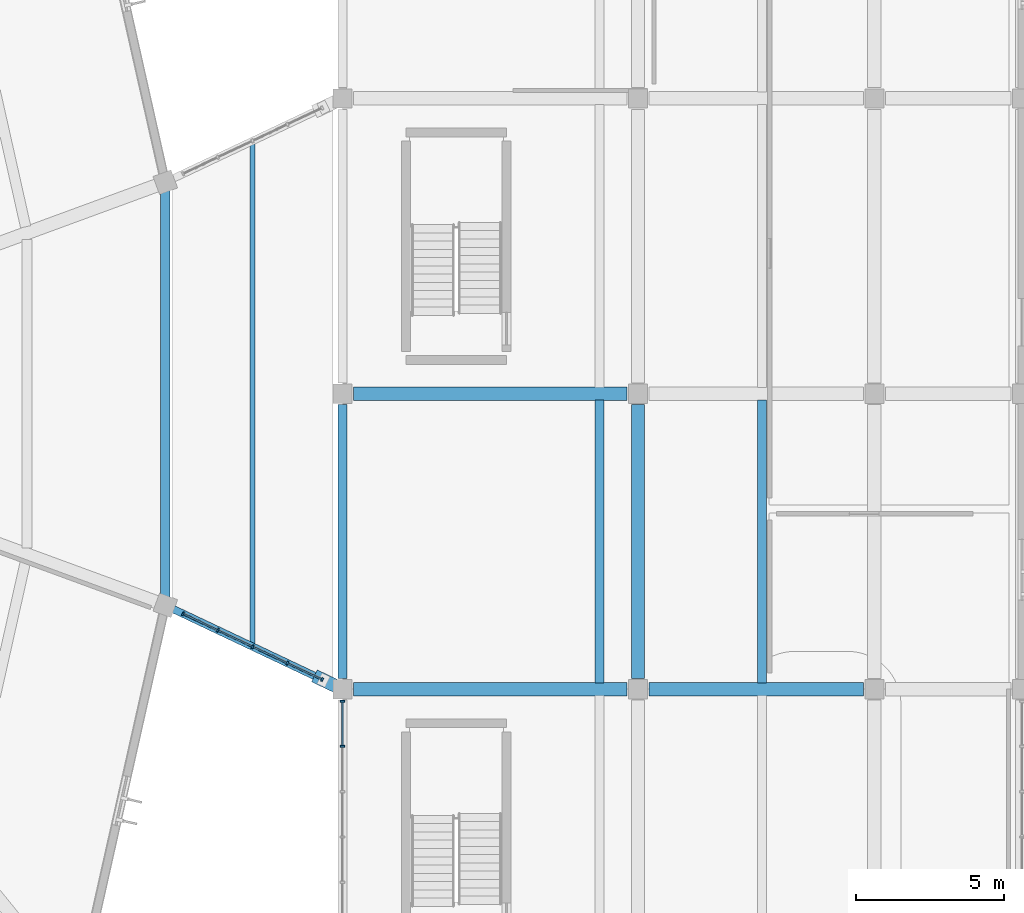
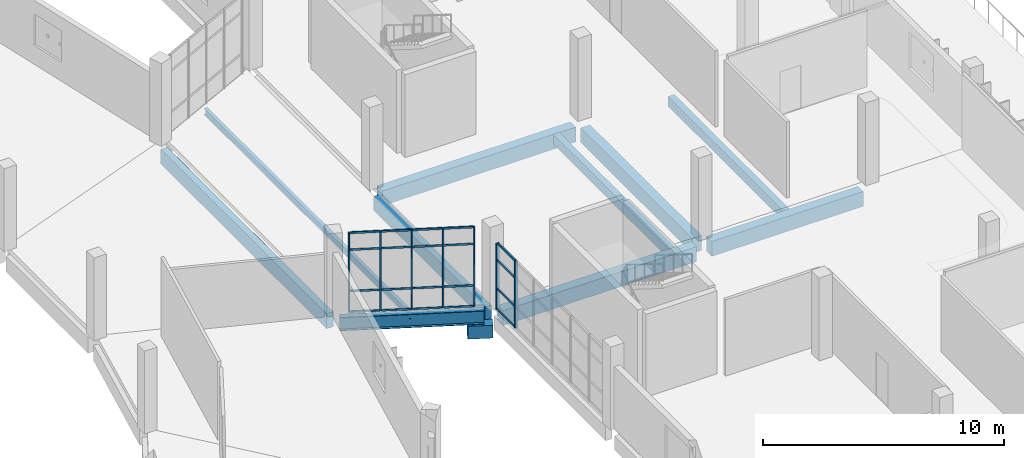
# One storey, part 58 of 142: 27 members, 11 beams, 2 elements without a shape of their own.
"""IFC4 building model written with IfcOpenShell, lengths in metres."""

from ifc_helpers import new_model, si_unit, direction, frame, origin, origin_2d, place, context, subcontext, project, spatial, rectangle, i_section, extrude, material, layer, layer_set, material_profile, profile_set, type_object, element, aggregate, save


model = new_model("IFC4")

# Units and contexts
model_context = context("Model", 3, precision=1e-05, world=origin(), true_north=direction((0.0, 1.0)))
body_context = subcontext(model_context, "Body", "Model", "MODEL_VIEW")
ifc_project = project(units=[si_unit("LENGTHUNIT", "METRE"), si_unit("AREAUNIT", "SQUARE_METRE"), si_unit("VOLUMEUNIT", "CUBIC_METRE"), si_unit("PLANEANGLEUNIT", "RADIAN"), si_unit("MASSUNIT", "GRAM", prefix="KILO")], contexts=[model_context])

# Site, building, storey
site_placement = place(None, origin())
site = spatial("IfcSite", under=ifc_project, at=site_placement, CompositionType="ELEMENT")
building_placement = place(site_placement, origin())
building = spatial("IfcBuilding", under=site, at=building_placement, Name="Corvandel Quay Wholesale Market", CompositionType="ELEMENT")
storey_placement = place(building_placement, frame((0.0, 0.0, 10.800048828125)))
storey = spatial("IfcBuildingStorey", under=building, at=storey_placement, Name="L02", CompositionType="ELEMENT", Elevation=10.800048828125)

# Beams
ifc_material_1 = material(Name="Steel A992 Grade 50", Category="steel")
ifc_material_profile_1 = material_profile(ifc_material_1, i_section(OverallWidth=0.1669921875, OverallDepth=0.318115234375, WebThickness=0.007568359375, FlangeThickness=0.01318359375, at=origin_2d()), Name="W12X35")
ifc_profile_set_1 = profile_set([ifc_material_profile_1], Name="Steel A992 Grade 50")
beam_type_1 = type_object("IfcBeamType", Name="Bridge Floor Steel Beam SB02 W12X35", PredefinedType="BEAM", material=ifc_profile_set_1)
beam_1_placement = place(storey_placement, frame((216.954833984375, 51.450927734375, -0.380126953125), z_axis=(0.0, 1.0, 0.0), x_axis=(-1.0, 0.0, 0.0)))
element("IfcBeam", 1, at=beam_1_placement, inside=storey, type_object=beam_type_1, Name="Beam BM-1815", PredefinedType="BEAM", context=body_context, shape_type="SweptSolid", body=[
    extrude(i_section(OverallWidth=0.1669921875, OverallDepth=0.318115234375, WebThickness=0.007568359375, FlangeThickness=0.01318359375, at=origin_2d()), origin(), (0.0, 0.0, 1.0), 17.09814453125),
])
ifc_material_profile_2 = material_profile(ifc_material_1, i_section(OverallWidth=0.25390625, OverallDepth=0.68310546875, WebThickness=0.012451171875, FlangeThickness=0.018798828125, at=origin_2d()), Name="W27X94")
ifc_profile_set_2 = profile_set([ifc_material_profile_2], Name="Steel A992 Grade 50")
beam_type_2 = type_object("IfcBeamType", Name="Bridge Link Steel Girder SG01 W27X94", PredefinedType="USERDEFINED", material=ifc_profile_set_2)
beam_2_placement = place(storey_placement, frame((214.239501953125, 52.7255859375, -0.5615234375), z_axis=(0.903920621158, -0.427700257943, 0.0), x_axis=(0.427700257943, 0.903920621158, 0.0)))
element("IfcBeam", 2, at=beam_2_placement, inside=storey, type_object=beam_type_2, Name="Beam BM-1812", ObjectType="GIRDER", PredefinedType="USERDEFINED", context=body_context, shape_type="SweptSolid", body=[
    extrude(i_section(OverallWidth=0.25390625, OverallDepth=0.68310546875, WebThickness=0.012451171875, FlangeThickness=0.018798828125, at=origin_2d()), origin(), (0.0, 0.0, 1.0), 6.0078125),
])

# Curtain wall, members
ifc_material_2 = material(Name="Bronze anodised aluminium and low-E insulated glazing", Category="aluminium")
ifc_layer_1 = layer(ifc_material_2, 0.14990234375)
ifc_layer_set_1 = layer_set([ifc_layer_1], Name="Bronze anodised aluminium and low-E insulated glazing")
curtain_wall_type_1 = type_object("IfcCurtainWallType", Name="Stick Curtain Wall System CW25 H5250", PredefinedType="NOTDEFINED", material=ifc_layer_set_1)
curtain_wall_1_placement = place(storey_placement, origin())
curtain_wall_1 = element("IfcCurtainWall", 3, at=curtain_wall_1_placement, inside=storey, type_object=curtain_wall_type_1, Name="Curtain Wall CW-0182", PredefinedType="NOTDEFINED")
ifc_material_3 = material(Name="Anodised aluminium 6063-T6", Category="aluminium")
ifc_material_profile_3 = material_profile(ifc_material_3, rectangle(XDim=0.06005859375, YDim=0.1298828125, at=origin_2d()), Name="ALU-MUL-60x130")
ifc_profile_set_3 = profile_set([ifc_material_profile_3], Name="Anodised aluminium 6063-T6")
member_type_1 = type_object("IfcMemberType", Name="Clerestory Mullion ML03 60x130", PredefinedType="MULLION", material=ifc_profile_set_3)
member_1_placement = place(storey_placement, frame((214.60107421875, 52.5546875, -0.030029296875), z_axis=(0.0, 0.0, 1.0), x_axis=(-0.903933318548, 0.427673421689, 0.0)))
member_1 = element("IfcMember", 4, at=member_1_placement, type_object=member_type_1, Name="Mullion CW-0182-M00", PredefinedType="MULLION", context=body_context, shape_type="SweptSolid", body=[
    extrude(rectangle(XDim=0.06005859375, YDim=0.1298828125, at=origin_2d()), origin(), (0.0, 0.0, 1.0), 4.0),
])
member_2_placement = place(storey_placement, frame((215.778076171875, 51.997802734375, -0.030029296875), z_axis=(0.0, 0.0, 1.0), x_axis=(-0.903933318548, 0.427673421689, 0.0)))
member_2 = element("IfcMember", 5, at=member_2_placement, type_object=member_type_1, Name="Mullion CW-0182-M01", PredefinedType="MULLION", context=body_context, shape_type="SweptSolid", body=[
    extrude(rectangle(XDim=0.06005859375, YDim=0.1298828125, at=origin_2d()), origin(), (0.0, 0.0, 1.0), 4.0),
])
member_3_placement = place(storey_placement, frame((216.954833984375, 51.44091796875, -0.030029296875), z_axis=(0.0, 0.0, 1.0), x_axis=(-0.903933318548, 0.427673421689, 0.0)))
member_3 = element("IfcMember", 6, at=member_3_placement, type_object=member_type_1, Name="Mullion CW-0182-M02", PredefinedType="MULLION", context=body_context, shape_type="SweptSolid", body=[
    extrude(rectangle(XDim=0.06005859375, YDim=0.1298828125, at=origin_2d()), origin(), (0.0, 0.0, 1.0), 4.0),
])
member_4_placement = place(storey_placement, frame((218.131591796875, 50.884033203125, -0.030029296875), z_axis=(0.0, 0.0, 1.0), x_axis=(-0.903933318548, 0.427673421689, 0.0)))
member_4 = element("IfcMember", 7, at=member_4_placement, type_object=member_type_1, Name="Mullion CW-0182-M03", PredefinedType="MULLION", context=body_context, shape_type="SweptSolid", body=[
    extrude(rectangle(XDim=0.06005859375, YDim=0.1298828125, at=origin_2d()), origin(), (0.0, 0.0, 1.0), 4.0),
])
member_5_placement = place(storey_placement, frame((219.30859375, 50.3271484375, -0.030029296875), z_axis=(0.0, 0.0, 1.0), x_axis=(-0.903933318548, 0.427673421689, 0.0)))
member_5 = element("IfcMember", 8, at=member_5_placement, type_object=member_type_1, Name="Mullion CW-0182-M04", PredefinedType="MULLION", context=body_context, shape_type="SweptSolid", body=[
    extrude(rectangle(XDim=0.06005859375, YDim=0.1298828125, at=origin_2d()), origin(), (0.0, 0.0, 1.0), 4.0),
])
ifc_material_profile_4 = material_profile(ifc_material_3, rectangle(XDim=0.054931640625, YDim=0.094970703125, at=origin_2d()), Name="ALU-TRN-55x95")
ifc_profile_set_4 = profile_set([ifc_material_profile_4], Name="Anodised aluminium 6063-T6")
member_type_2 = type_object("IfcMemberType", Name="Clerestory Transom TR03 55x95", PredefinedType="USERDEFINED", material=ifc_profile_set_4)
member_6_placement = place(storey_placement, frame((214.628173828125, 52.541748046875, -0.030029296875), z_axis=(0.903889889264, -0.427765202053, 0.0), x_axis=(0.427765202053, 0.903889889264, 0.0)))
member_6 = element("IfcMember", 9, at=member_6_placement, type_object=member_type_2, Name="Transom CW-0182-T00-0", ObjectType="TRANSOM", PredefinedType="USERDEFINED", context=body_context, shape_type="SweptSolid", body=[
    extrude(rectangle(XDim=0.054931640625, YDim=0.094970703125, at=origin_2d()), origin(), (0.0, 0.0, 1.0), 1.241943359375),
])
member_7_placement = place(storey_placement, frame((214.628173828125, 52.541748046875, 1.02001953125), z_axis=(0.903889889264, -0.427765202053, 0.0), x_axis=(0.427765202053, 0.903889889264, 0.0)))
member_7 = element("IfcMember", 10, at=member_7_placement, type_object=member_type_2, Name="Transom CW-0182-T00-1", ObjectType="TRANSOM", PredefinedType="USERDEFINED", context=body_context, shape_type="SweptSolid", body=[
    extrude(rectangle(XDim=0.054931640625, YDim=0.094970703125, at=origin_2d()), origin(), (0.0, 0.0, 1.0), 1.241943359375),
])
member_8_placement = place(storey_placement, frame((214.628173828125, 52.541748046875, 3.119873046875), z_axis=(0.903889889264, -0.427765202053, 0.0), x_axis=(0.427765202053, 0.903889889264, 0.0)))
member_8 = element("IfcMember", 11, at=member_8_placement, type_object=member_type_2, Name="Transom CW-0182-T00-2", ObjectType="TRANSOM", PredefinedType="USERDEFINED", context=body_context, shape_type="SweptSolid", body=[
    extrude(rectangle(XDim=0.054931640625, YDim=0.094970703125, at=origin_2d()), origin(), (0.0, 0.0, 1.0), 1.241943359375),
])
member_9_placement = place(storey_placement, frame((214.628173828125, 52.541748046875, 3.969970703125), z_axis=(0.903889889264, -0.427765202053, 0.0), x_axis=(0.427765202053, 0.903889889264, 0.0)))
member_9 = element("IfcMember", 12, at=member_9_placement, type_object=member_type_2, Name="Transom CW-0182-T00-3", ObjectType="TRANSOM", PredefinedType="USERDEFINED", context=body_context, shape_type="SweptSolid", body=[
    extrude(rectangle(XDim=0.054931640625, YDim=0.094970703125, at=origin_2d()), origin(), (0.0, 0.0, 1.0), 1.241943359375),
])
member_10_placement = place(storey_placement, frame((215.80517578125, 51.98486328125, -0.030029296875), z_axis=(0.903889889264, -0.427765202053, 0.0), x_axis=(0.427765202053, 0.903889889264, 0.0)))
member_10 = element("IfcMember", 13, at=member_10_placement, type_object=member_type_2, Name="Transom CW-0182-T01-0", ObjectType="TRANSOM", PredefinedType="USERDEFINED", context=body_context, shape_type="SweptSolid", body=[
    extrude(rectangle(XDim=0.054931640625, YDim=0.094970703125, at=origin_2d()), origin(), (0.0, 0.0, 1.0), 1.241943359375),
])
member_11_placement = place(storey_placement, frame((215.80517578125, 51.98486328125, 1.02001953125), z_axis=(0.903889889264, -0.427765202053, 0.0), x_axis=(0.427765202053, 0.903889889264, 0.0)))
member_11 = element("IfcMember", 14, at=member_11_placement, type_object=member_type_2, Name="Transom CW-0182-T01-1", ObjectType="TRANSOM", PredefinedType="USERDEFINED", context=body_context, shape_type="SweptSolid", body=[
    extrude(rectangle(XDim=0.054931640625, YDim=0.094970703125, at=origin_2d()), origin(), (0.0, 0.0, 1.0), 1.241943359375),
])
member_12_placement = place(storey_placement, frame((215.80517578125, 51.98486328125, 3.119873046875), z_axis=(0.903889889264, -0.427765202053, 0.0), x_axis=(0.427765202053, 0.903889889264, 0.0)))
member_12 = element("IfcMember", 15, at=member_12_placement, type_object=member_type_2, Name="Transom CW-0182-T01-2", ObjectType="TRANSOM", PredefinedType="USERDEFINED", context=body_context, shape_type="SweptSolid", body=[
    extrude(rectangle(XDim=0.054931640625, YDim=0.094970703125, at=origin_2d()), origin(), (0.0, 0.0, 1.0), 1.241943359375),
])
member_13_placement = place(storey_placement, frame((215.80517578125, 51.98486328125, 3.969970703125), z_axis=(0.903889889264, -0.427765202053, 0.0), x_axis=(0.427765202053, 0.903889889264, 0.0)))
member_13 = element("IfcMember", 16, at=member_13_placement, type_object=member_type_2, Name="Transom CW-0182-T01-3", ObjectType="TRANSOM", PredefinedType="USERDEFINED", context=body_context, shape_type="SweptSolid", body=[
    extrude(rectangle(XDim=0.054931640625, YDim=0.094970703125, at=origin_2d()), origin(), (0.0, 0.0, 1.0), 1.241943359375),
])
member_14_placement = place(storey_placement, frame((216.98193359375, 51.427978515625, -0.030029296875), z_axis=(0.903965890824, -0.427604569931, 0.0), x_axis=(0.427604569931, 0.903965890824, 0.0)))
member_14 = element("IfcMember", 17, at=member_14_placement, type_object=member_type_2, Name="Transom CW-0182-T02-0", ObjectType="TRANSOM", PredefinedType="USERDEFINED", context=body_context, shape_type="SweptSolid", body=[
    extrude(rectangle(XDim=0.054931640625, YDim=0.094970703125, at=origin_2d()), origin(), (0.0, 0.0, 1.0), 1.24169921875),
])
member_15_placement = place(storey_placement, frame((216.98193359375, 51.427978515625, 1.02001953125), z_axis=(0.903965890824, -0.427604569931, 0.0), x_axis=(0.427604569931, 0.903965890824, 0.0)))
member_15 = element("IfcMember", 18, at=member_15_placement, type_object=member_type_2, Name="Transom CW-0182-T02-1", ObjectType="TRANSOM", PredefinedType="USERDEFINED", context=body_context, shape_type="SweptSolid", body=[
    extrude(rectangle(XDim=0.054931640625, YDim=0.094970703125, at=origin_2d()), origin(), (0.0, 0.0, 1.0), 1.24169921875),
])
member_16_placement = place(storey_placement, frame((216.98193359375, 51.427978515625, 3.119873046875), z_axis=(0.903965890824, -0.427604569931, 0.0), x_axis=(0.427604569931, 0.903965890824, 0.0)))
member_16 = element("IfcMember", 19, at=member_16_placement, type_object=member_type_2, Name="Transom CW-0182-T02-2", ObjectType="TRANSOM", PredefinedType="USERDEFINED", context=body_context, shape_type="SweptSolid", body=[
    extrude(rectangle(XDim=0.054931640625, YDim=0.094970703125, at=origin_2d()), origin(), (0.0, 0.0, 1.0), 1.24169921875),
])
member_17_placement = place(storey_placement, frame((216.98193359375, 51.427978515625, 3.969970703125), z_axis=(0.903965890824, -0.427604569931, 0.0), x_axis=(0.427604569931, 0.903965890824, 0.0)))
member_17 = element("IfcMember", 20, at=member_17_placement, type_object=member_type_2, Name="Transom CW-0182-T02-3", ObjectType="TRANSOM", PredefinedType="USERDEFINED", context=body_context, shape_type="SweptSolid", body=[
    extrude(rectangle(XDim=0.054931640625, YDim=0.094970703125, at=origin_2d()), origin(), (0.0, 0.0, 1.0), 1.24169921875),
])
member_18_placement = place(storey_placement, frame((218.15869140625, 50.87109375, -0.030029296875), z_axis=(0.904001828666, -0.427528588247, 0.0), x_axis=(0.427528588247, 0.904001828666, 0.0)))
member_18 = element("IfcMember", 21, at=member_18_placement, type_object=member_type_2, Name="Transom CW-0182-T03-0", ObjectType="TRANSOM", PredefinedType="USERDEFINED", context=body_context, shape_type="SweptSolid", body=[
    extrude(rectangle(XDim=0.054931640625, YDim=0.094970703125, at=origin_2d()), origin(), (0.0, 0.0, 1.0), 1.241943359375),
])
member_19_placement = place(storey_placement, frame((218.15869140625, 50.87109375, 1.02001953125), z_axis=(0.904001828666, -0.427528588247, 0.0), x_axis=(0.427528588247, 0.904001828666, 0.0)))
member_19 = element("IfcMember", 22, at=member_19_placement, type_object=member_type_2, Name="Transom CW-0182-T03-1", ObjectType="TRANSOM", PredefinedType="USERDEFINED", context=body_context, shape_type="SweptSolid", body=[
    extrude(rectangle(XDim=0.054931640625, YDim=0.094970703125, at=origin_2d()), origin(), (0.0, 0.0, 1.0), 1.241943359375),
])
member_20_placement = place(storey_placement, frame((218.15869140625, 50.87109375, 3.119873046875), z_axis=(0.904001828666, -0.427528588247, 0.0), x_axis=(0.427528588247, 0.904001828666, 0.0)))
member_20 = element("IfcMember", 23, at=member_20_placement, type_object=member_type_2, Name="Transom CW-0182-T03-2", ObjectType="TRANSOM", PredefinedType="USERDEFINED", context=body_context, shape_type="SweptSolid", body=[
    extrude(rectangle(XDim=0.054931640625, YDim=0.094970703125, at=origin_2d()), origin(), (0.0, 0.0, 1.0), 1.241943359375),
])
member_21_placement = place(storey_placement, frame((218.15869140625, 50.87109375, 3.969970703125), z_axis=(0.904001828666, -0.427528588247, 0.0), x_axis=(0.427528588247, 0.904001828666, 0.0)))
member_21 = element("IfcMember", 24, at=member_21_placement, type_object=member_type_2, Name="Transom CW-0182-T03-3", ObjectType="TRANSOM", PredefinedType="USERDEFINED", context=body_context, shape_type="SweptSolid", body=[
    extrude(rectangle(XDim=0.054931640625, YDim=0.094970703125, at=origin_2d()), origin(), (0.0, 0.0, 1.0), 1.241943359375),
])
aggregate(curtain_wall_1, [member_1, member_2, member_3, member_4, member_5, member_6, member_7, member_8, member_9, member_10, member_11, member_12, member_13, member_14, member_15, member_16, member_17, member_18, member_19, member_20, member_21])

ifc_layer_2 = layer(ifc_material_2, 0.174072265625)
ifc_layer_set_2 = layer_set([ifc_layer_2], Name="Bronze anodised aluminium and low-E insulated glazing")
curtain_wall_type_2 = type_object("IfcCurtainWallType", Name="Stick Curtain Wall System CW22 H4980", PredefinedType="NOTDEFINED", material=ifc_layer_set_2)
curtain_wall_2_placement = place(storey_placement, origin())
curtain_wall_2 = element("IfcCurtainWall", 25, at=curtain_wall_2_placement, inside=storey, type_object=curtain_wall_type_2, Name="Curtain Wall CW-0159", PredefinedType="NOTDEFINED")
ifc_material_profile_5 = material_profile(ifc_material_3, rectangle(XDim=0.06494140625, YDim=0.14990234375, at=origin_2d()), Name="ALU-MUL-65x150")
ifc_profile_set_5 = profile_set([ifc_material_profile_5], Name="Anodised aluminium 6063-T6")
member_type_3 = type_object("IfcMemberType", Name="Curtain Wall Mullion ML02 65x150", PredefinedType="MULLION", material=ifc_profile_set_5)
member_22_placement = place(storey_placement, frame((220.0, 48.066650390625, 0.0), z_axis=(0.0, 0.0, 1.0), x_axis=(0.0, 1.0, 0.0)))
member_22 = element("IfcMember", 26, at=member_22_placement, type_object=member_type_3, Name="Mullion CW-0159-M05", PredefinedType="MULLION", context=body_context, shape_type="SweptSolid", body=[
    extrude(rectangle(XDim=0.06494140625, YDim=0.14990234375, at=origin_2d()), origin(), (0.0, 0.0, 1.0), 3.349853515625),
])
member_23_placement = place(storey_placement, frame((220.0, 49.60009765625, 0.0), z_axis=(0.0, 0.0, 1.0), x_axis=(0.0, 1.0, 0.0)))
member_23 = element("IfcMember", 27, at=member_23_placement, type_object=member_type_3, Name="Mullion CW-0159-M06", PredefinedType="MULLION", context=body_context, shape_type="SweptSolid", body=[
    extrude(rectangle(XDim=0.06494140625, YDim=0.14990234375, at=origin_2d()), origin(), (0.0, 0.0, 1.0), 3.349853515625),
])
ifc_material_profile_6 = material_profile(ifc_material_3, rectangle(XDim=0.06005859375, YDim=0.110107421875, at=origin_2d()), Name="ALU-TRN-60x110")
ifc_profile_set_6 = profile_set([ifc_material_profile_6], Name="Anodised aluminium 6063-T6")
member_type_4 = type_object("IfcMemberType", Name="Curtain Wall Transom TR02 60x110", PredefinedType="USERDEFINED", material=ifc_profile_set_6)
member_24_placement = place(storey_placement, frame((220.0, 48.09912109375, 0.0), z_axis=(0.0, 1.0, 0.0), x_axis=(-1.0, 0.0, 0.0)))
member_24 = element("IfcMember", 28, at=member_24_placement, type_object=member_type_4, Name="Transom CW-0159-T05-0", ObjectType="TRANSOM", PredefinedType="USERDEFINED", context=body_context, shape_type="SweptSolid", body=[
    extrude(rectangle(XDim=0.06005859375, YDim=0.110107421875, at=origin_2d()), origin(), (0.0, 0.0, 1.0), 1.46826171875),
])
member_25_placement = place(storey_placement, frame((220.0, 48.09912109375, 1.050048828125), z_axis=(0.0, 1.0, 0.0), x_axis=(-1.0, 0.0, 0.0)))
member_25 = element("IfcMember", 29, at=member_25_placement, type_object=member_type_4, Name="Transom CW-0159-T05-1", ObjectType="TRANSOM", PredefinedType="USERDEFINED", context=body_context, shape_type="SweptSolid", body=[
    extrude(rectangle(XDim=0.06005859375, YDim=0.110107421875, at=origin_2d()), origin(), (0.0, 0.0, 1.0), 1.46826171875),
])
member_26_placement = place(storey_placement, frame((220.0, 48.09912109375, 2.5), z_axis=(0.0, 1.0, 0.0), x_axis=(-1.0, 0.0, 0.0)))
member_26 = element("IfcMember", 30, at=member_26_placement, type_object=member_type_4, Name="Transom CW-0159-T05-2", ObjectType="TRANSOM", PredefinedType="USERDEFINED", context=body_context, shape_type="SweptSolid", body=[
    extrude(rectangle(XDim=0.06005859375, YDim=0.110107421875, at=origin_2d()), origin(), (0.0, 0.0, 1.0), 1.46826171875),
])
member_27_placement = place(storey_placement, frame((220.0, 48.09912109375, 3.349853515625), z_axis=(0.0, 1.0, 0.0), x_axis=(-1.0, 0.0, 0.0)))
member_27 = element("IfcMember", 31, at=member_27_placement, type_object=member_type_4, Name="Transom CW-0159-T05-3", ObjectType="TRANSOM", PredefinedType="USERDEFINED", context=body_context, shape_type="SweptSolid", body=[
    extrude(rectangle(XDim=0.06005859375, YDim=0.110107421875, at=origin_2d()), origin(), (0.0, 0.0, 1.0), 1.46826171875),
])
aggregate(curtain_wall_2, [member_22, member_23, member_24, member_25, member_26, member_27])

# Beams
ifc_material_4 = material(Name="Precast concrete C45/55", Category="concrete")
ifc_material_profile_7 = material_profile(ifc_material_4, rectangle(XDim=0.300048828125, YDim=0.5, at=origin_2d()), Name="PC-BM-300x500")
ifc_profile_set_7 = profile_set([ifc_material_profile_7], Name="Precast concrete C45/55")
beam_type_3 = type_object("IfcBeamType", Name="Office Floor Secondary Beam B04 300x500", PredefinedType="BEAM", material=ifc_profile_set_7)
for number, where, z_axis, x_axis, name in (
    (32, (228.699951171875, 50.215087890625, -0.570068359375), (0.0, 1.0, 0.0), (-1.0, 0.0, 0.0), "Beam BM-1602"),
    (33, (234.199951171875, 50.215087890625, -0.570068359375), (0.0, 1.0, 0.0), (-1.0, 0.0, 0.0), "Beam BM-1603"),
):
    element("IfcBeam", number, at=place(storey_placement, frame(where, z_axis=z_axis, x_axis=x_axis)), inside=storey, type_object=beam_type_3, Name=name, PredefinedType="BEAM", context=body_context, shape_type="SweptSolid", body=[
        extrude(rectangle(XDim=0.300048828125, YDim=0.5, at=origin_2d()), origin(), (0.0, 0.0, 1.0), 9.56982421875),
    ])
ifc_material_profile_8 = material_profile(ifc_material_4, rectangle(XDim=0.320068359375, YDim=0.75, at=origin_2d()), Name="PC-SPN-320x750")
ifc_profile_set_8 = profile_set([ifc_material_profile_8], Name="Precast concrete C45/55")
beam_type_4 = type_object("IfcBeamType", Name="Pavilion Precast Spandrel SP02 320x750", PredefinedType="SPANDREL", material=ifc_profile_set_8)
beam_3_placement = place(storey_placement, frame((214.0, 53.10888671875, -0.594970703125), z_axis=(0.0, 1.0, 0.0), x_axis=(-1.0, 0.0, 0.0)))
element("IfcBeam", 34, at=beam_3_placement, inside=storey, type_object=beam_type_4, Name="Beam BM-0930", PredefinedType="SPANDREL", context=body_context, shape_type="SweptSolid", body=[
    extrude(rectangle(XDim=0.320068359375, YDim=0.75, at=origin_2d()), origin(), (0.0, 0.0, 1.0), 13.7822265625),
])
ifc_material_profile_9 = material_profile(ifc_material_4, rectangle(XDim=0.449951171875, YDim=0.64990234375, at=origin_2d()), Name="PC-COR-680x650")
ifc_profile_set_9 = profile_set([ifc_material_profile_9], Name="Precast concrete C45/55")
beam_type_5 = type_object("IfcBeamType", Name="Seismic Joint Precast Corbel CB01 680x650", PredefinedType="BEAM", material=ifc_profile_set_9)
beam_4_placement = place(storey_placement, frame((220.0, 50.0, -1.22802734375), z_axis=(-0.903935655533, 0.427668482188, 0.0), x_axis=(-0.427668482188, -0.903935655533, 0.0)))
element("IfcBeam", 35, at=beam_4_placement, inside=storey, type_object=beam_type_5, Name="Beam BM-1811", PredefinedType="BEAM", context=body_context, shape_type="SweptSolid", body=[
    extrude(rectangle(XDim=0.449951171875, YDim=0.64990234375, at=origin_2d()), origin(), (0.0, 0.0, 1.0), 1.054931640625),
])
ifc_material_profile_10 = material_profile(ifc_material_4, rectangle(XDim=0.300048828125, YDim=0.699951171875, at=origin_2d()), Name="PC-SPN-300x700")
ifc_profile_set_10 = profile_set([ifc_material_profile_10], Name="Precast concrete C45/55")
beam_type_6 = type_object("IfcBeamType", Name="Terrace Edge Spandrel SP03 300x700", PredefinedType="SPANDREL", material=ifc_profile_set_10)
beam_5_placement = place(storey_placement, frame((220.0, 50.3701171875, -0.670166015625), z_axis=(0.0, 1.0, 0.0), x_axis=(-1.0, 0.0, 0.0)))
element("IfcBeam", 36, at=beam_5_placement, inside=storey, type_object=beam_type_6, Name="Beam BM-1553", PredefinedType="SPANDREL", context=body_context, shape_type="SweptSolid", body=[
    extrude(rectangle(XDim=0.300048828125, YDim=0.699951171875, at=origin_2d()), origin(), (0.0, 0.0, 1.0), 9.259765625),
])
ifc_material_profile_11 = material_profile(ifc_material_4, rectangle(XDim=0.449951171875, YDim=0.75, at=origin_2d()), Name="PC-GIR-450x750")
ifc_profile_set_11 = profile_set([ifc_material_profile_11], Name="Precast concrete C45/55")
beam_type_7 = type_object("IfcBeamType", Name="Waterfront Office Girder G06 450x750", PredefinedType="USERDEFINED", material=ifc_profile_set_11)
beam_6_placement = place(storey_placement, frame((220.3701171875, 50.0, -0.695068359375), z_axis=(1.0, 0.0, 0.0), x_axis=(0.0, 1.0, 0.0)))
element("IfcBeam", 37, at=beam_6_placement, inside=storey, type_object=beam_type_7, Name="Beam BM-1525", ObjectType="GIRDER", PredefinedType="USERDEFINED", context=body_context, shape_type="SweptSolid", body=[
    extrude(rectangle(XDim=0.449951171875, YDim=0.75, at=origin_2d()), origin(), (0.0, 0.0, 1.0), 9.259765625),
])
beam_7_placement = place(storey_placement, frame((230.3701171875, 50.0, -0.695068359375), z_axis=(1.0, 0.0, 0.0), x_axis=(0.0, 1.0, 0.0)))
element("IfcBeam", 38, at=beam_7_placement, inside=storey, type_object=beam_type_7, Name="Beam BM-1526", ObjectType="GIRDER", PredefinedType="USERDEFINED", context=body_context, shape_type="SweptSolid", body=[
    extrude(rectangle(XDim=0.449951171875, YDim=0.75, at=origin_2d()), origin(), (0.0, 0.0, 1.0), 7.259765625),
])
for number, where, z_axis, x_axis, name in (
    (39, (220.3701171875, 60.0, -0.695068359375), (1.0, 0.0, 0.0), (0.0, 1.0, 0.0), "Beam BM-1529"),
    (40, (230.0, 50.3701171875, -0.695068359375), (0.0, 1.0, 0.0), (-1.0, 0.0, 0.0), "Beam BM-1562"),
):
    element("IfcBeam", number, at=place(storey_placement, frame(where, z_axis=z_axis, x_axis=x_axis)), inside=storey, type_object=beam_type_7, Name=name, ObjectType="GIRDER", PredefinedType="USERDEFINED", context=body_context, shape_type="SweptSolid", body=[
        extrude(rectangle(XDim=0.449951171875, YDim=0.75, at=origin_2d()), origin(), (0.0, 0.0, 1.0), 9.259765625),
    ])

save(model, "model.ifc")
